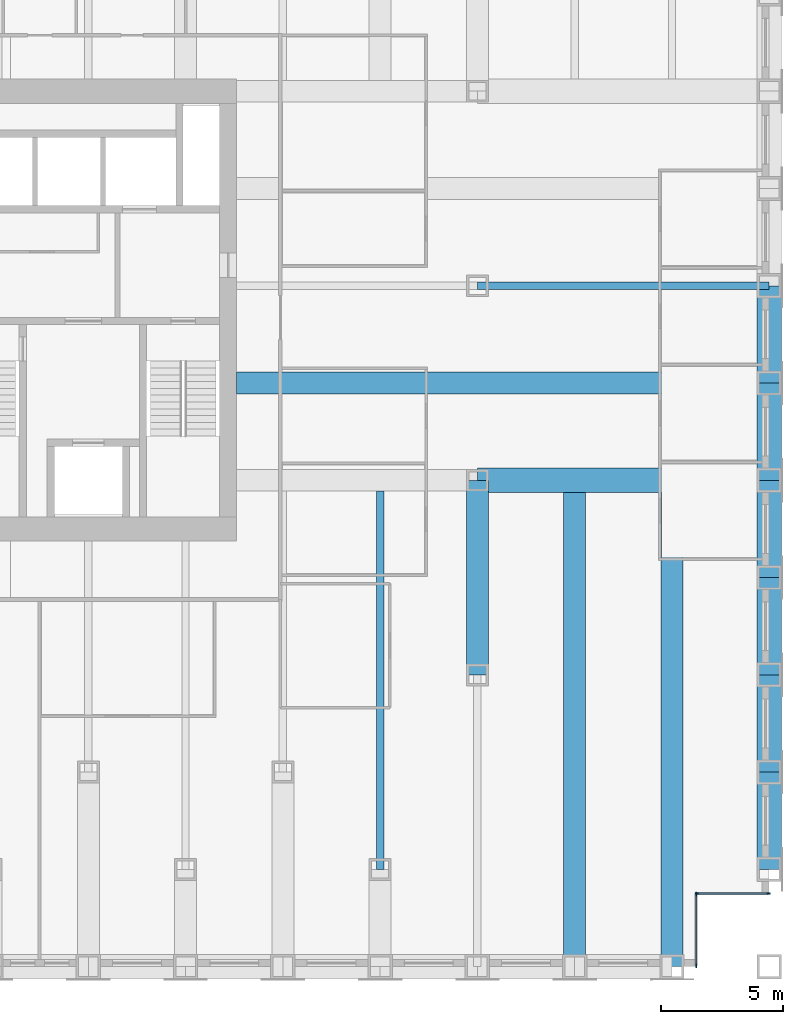
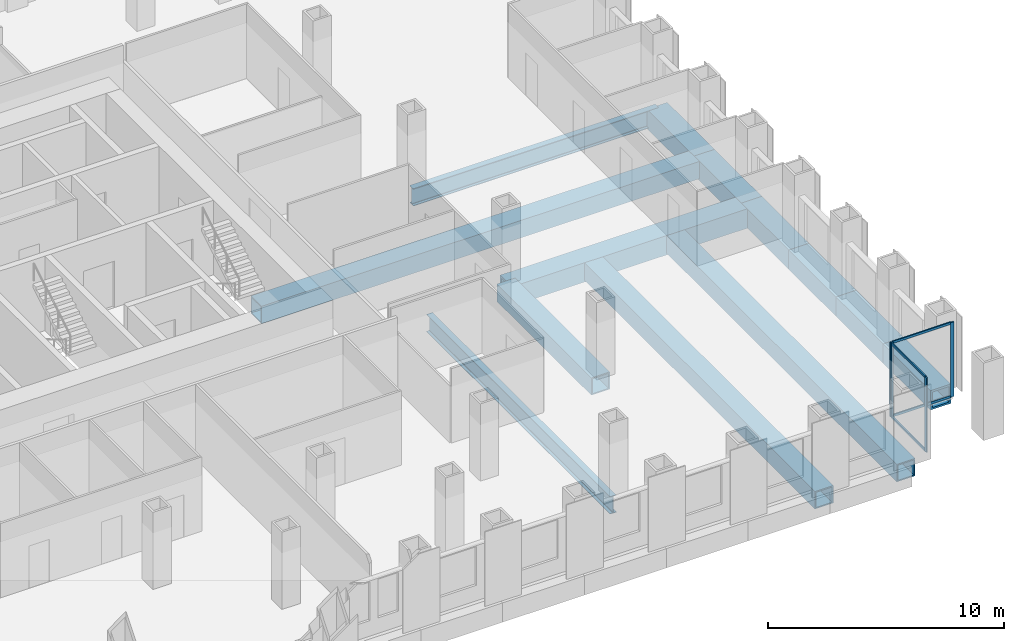
# One storey, part 4 of 16: 13 beams, 8 members, 2 elements without a shape of their own.
"""IFC4 building model written with IfcOpenShell, lengths in metres."""

from ifc_helpers import new_model, si_unit, direction, frame, origin, origin_2d, place, context, subcontext, project, spatial, rectangle, hollow_rectangle, i_section, extrude, material, material_profile, profile_set, type_object, element, aggregate, save


model = new_model("IFC4")

# Units and contexts
model_context = context("Model", 3, precision=1e-05, world=origin(), true_north=direction((0.0, 1.0)))
body_context = subcontext(model_context, "Body", "Model", "MODEL_VIEW")
ifc_project = project(units=[si_unit("LENGTHUNIT", "METRE"), si_unit("AREAUNIT", "SQUARE_METRE"), si_unit("VOLUMEUNIT", "CUBIC_METRE"), si_unit("PLANEANGLEUNIT", "RADIAN"), si_unit("MASSUNIT", "GRAM", prefix="KILO")], contexts=[model_context])

# Site, building, storey
site_placement = place(None, origin())
site = spatial("IfcSite", under=ifc_project, at=site_placement, CompositionType="ELEMENT")
building_placement = place(site_placement, origin())
building = spatial("IfcBuilding", under=site, at=building_placement, Name="Rimbunsela Tower", CompositionType="ELEMENT")
storey_placement = place(building_placement, frame((0.0, 0.0, 85.39990234375)))
storey = spatial("IfcBuildingStorey", under=building, at=storey_placement, Name="L20", CompositionType="ELEMENT", Elevation=85.39990234375)

# Beams
ifc_material_1 = material(Name="Steel BJ 55 (fy 410 MPa)", Category="steel")
ifc_material_profile_1 = material_profile(ifc_material_1, hollow_rectangle(XDim=1.0, YDim=1.0, WallThickness=0.10009765625, at=origin_2d()), Name="BOX 1000x1000x100")
ifc_profile_set_1 = profile_set([ifc_material_profile_1], Name="Steel BJ 55 (fy 410 MPa)")
beam_type_1 = type_object("IfcBeamType", Name="Beam BOX 1000x1000x100", PredefinedType="BEAM", material=ifc_profile_set_1)
beam_1_placement = place(storey_placement, frame((46.0, 20.0, -0.64990234375), z_axis=(1.0, 0.0, 0.0), x_axis=(0.0, 1.0, 0.0)))
element("IfcBeam", 1, at=beam_1_placement, inside=storey, type_object=beam_type_1, Name="Beam B3 L20", PredefinedType="BEAM", context=body_context, shape_type="SweptSolid", body=[
    extrude(hollow_rectangle(XDim=1.0, YDim=1.0, WallThickness=0.10009765625, at=origin_2d()), origin(), (0.0, 0.0, 1.0), 12.0),
])
for number, where, z_axis, x_axis, name in (
    (2, (58.0, 4.0, -0.64990234375), (0.0, 1.0, 0.0), (-1.0, 0.0, 0.0), "Beam B3 L20"),
    (3, (58.0, 8.0, -0.64990234375), (0.0, 1.0, 0.0), (-1.0, 0.0, 0.0), "Beam B3 L20"),
    (4, (58.0, 12.0, -0.64990234375), (0.0, 1.0, 0.0), (-1.0, 0.0, 0.0), "Beam B3 L20"),
    (5, (58.0, 16.0, -0.64990234375), (0.0, 1.0, 0.0), (-1.0, 0.0, 0.0), "Beam B3 L20"),
    (6, (58.0, 20.0, -0.64990234375), (0.0, 1.0, 0.0), (-1.0, 0.0, 0.0), "Beam B3 L20"),
    (7, (58.0, 24.0, -0.64990234375), (0.0, 1.0, 0.0), (-1.0, 0.0, 0.0), "Beam B3 L20"),
):
    element("IfcBeam", number, at=place(storey_placement, frame(where, z_axis=z_axis, x_axis=x_axis)), inside=storey, type_object=beam_type_1, Name=name, PredefinedType="BEAM", context=body_context, shape_type="SweptSolid", body=[
        extrude(hollow_rectangle(XDim=1.0, YDim=1.0, WallThickness=0.10009765625, at=origin_2d()), origin(), (0.0, 0.0, 1.0), 4.0),
    ])
ifc_material_2 = material(Name="Steel BJ 55 (fy 410 MPa)", Category="steel")
ifc_material_profile_2 = material_profile(ifc_material_2, hollow_rectangle(XDim=0.89990234375, YDim=0.89990234375, WallThickness=0.06005859375, at=origin_2d()), Name="BOX 900x900x60")
ifc_profile_set_2 = profile_set([ifc_material_profile_2], Name="Steel BJ 55 (fy 410 MPa)")
beam_type_2 = type_object("IfcBeamType", Name="Beam BOX 900x900x60", PredefinedType="BEAM", material=ifc_profile_set_2)
beam_2_placement = place(storey_placement, frame((36.10009765625, 24.0, -0.599853515625), z_axis=(1.0, 0.0, 0.0), x_axis=(0.0, 1.0, 0.0)))
element("IfcBeam", 8, at=beam_2_placement, inside=storey, type_object=beam_type_2, Name="Beam B1 L20", PredefinedType="BEAM", context=body_context, shape_type="SweptSolid", body=[
    extrude(hollow_rectangle(XDim=0.89990234375, YDim=0.89990234375, WallThickness=0.06005859375, at=origin_2d()), origin(), (0.0, 0.0, 1.0), 21.89990234375),
])
beam_3_placement = place(storey_placement, frame((46.0, 12.0, -0.599853515625), z_axis=(0.0, 1.0, 0.0), x_axis=(-1.0, 0.0, 0.0)))
element("IfcBeam", 9, at=beam_3_placement, inside=storey, type_object=beam_type_2, Name="Beam B1 L20", PredefinedType="BEAM", context=body_context, shape_type="SweptSolid", body=[
    extrude(hollow_rectangle(XDim=0.89990234375, YDim=0.89990234375, WallThickness=0.06005859375, at=origin_2d()), origin(), (0.0, 0.0, 1.0), 8.0),
])
for number, where, z_axis, x_axis, name in (
    (10, (50.0, 0.0, -0.599853515625), (0.0, 1.0, 0.0), (-1.0, 0.0, 0.0), "Beam B1 L20"),
    (11, (54.0, 0.0, -0.599853515625), (0.0, 1.0, 0.0), (-1.0, 0.0, 0.0), "Beam B1 L20"),
):
    element("IfcBeam", number, at=place(storey_placement, frame(where, z_axis=z_axis, x_axis=x_axis)), inside=storey, type_object=beam_type_2, Name=name, PredefinedType="BEAM", context=body_context, shape_type="SweptSolid", body=[
        extrude(hollow_rectangle(XDim=0.89990234375, YDim=0.89990234375, WallThickness=0.06005859375, at=origin_2d()), origin(), (0.0, 0.0, 1.0), 19.5),
    ])
ifc_material_3 = material(Name="Steel BJ 55 (fy 410 MPa)", Category="steel")
ifc_material_profile_3 = material_profile(ifc_material_3, i_section(OverallWidth=0.300048828125, OverallDepth=0.89990234375, WebThickness=0.01611328125, FlangeThickness=0.028076171875, FilletRadius=0.028076171875, at=origin_2d()), Name="H 900x300x16x28")
ifc_profile_set_3 = profile_set([ifc_material_profile_3], Name="Steel BJ 55 (fy 410 MPa)")
beam_type_3 = type_object("IfcBeamType", Name="Beam H 900x300x16x28", PredefinedType="BEAM", material=ifc_profile_set_3)
beam_4_placement = place(storey_placement, frame((42.0, 4.0, -0.599853515625), z_axis=(0.0, 1.0, 0.0), x_axis=(-1.0, 0.0, 0.0)))
element("IfcBeam", 12, at=beam_4_placement, inside=storey, type_object=beam_type_3, Name="Beam B2 L20", PredefinedType="BEAM", context=body_context, shape_type="SweptSolid", body=[
    extrude(i_section(OverallWidth=0.300048828125, OverallDepth=0.89990234375, WebThickness=0.01611328125, FlangeThickness=0.028076171875, FilletRadius=0.028076171875, at=origin_2d()), origin(), (0.0, 0.0, 1.0), 15.550048828125),
])
beam_5_placement = place(storey_placement, frame((46.0, 28.0, -0.599853515625), z_axis=(1.0, 0.0, 0.0), x_axis=(0.0, 1.0, 0.0)))
element("IfcBeam", 13, at=beam_5_placement, inside=storey, type_object=beam_type_3, Name="Beam B2 L20", PredefinedType="BEAM", context=body_context, shape_type="SweptSolid", body=[
    extrude(i_section(OverallWidth=0.300048828125, OverallDepth=0.89990234375, WebThickness=0.01611328125, FlangeThickness=0.028076171875, FilletRadius=0.028076171875, at=origin_2d()), origin(), (0.0, 0.0, 1.0), 12.0),
])

# Curtain wall, members
ifc_material_4 = material(Name="Aluminium curtain wall", Category="aluminium")
curtain_wall_type = type_object("IfcCurtainWallType", Name="Corner glazing", PredefinedType="USERDEFINED", material=ifc_material_4)
curtain_wall_1_placement = place(storey_placement, origin())
curtain_wall_1 = element("IfcCurtainWall", 14, at=curtain_wall_1_placement, inside=storey, type_object=curtain_wall_type, Name="Corner glazing L20", ObjectType="CORNER GLAZING", PredefinedType="USERDEFINED")
ifc_material_5 = material(Name="Aluminium mullion", Category="aluminium")
ifc_material_profile_4 = material_profile(ifc_material_5, rectangle(XDim=0.06005859375, YDim=0.159912109375, at=origin_2d()), Name="Mullion 60x160")
ifc_profile_set_4 = profile_set([ifc_material_profile_4], Name="Aluminium mullion")
member_type_1 = type_object("IfcMemberType", Name="Curtain wall mullion 60x160", PredefinedType="MULLION", material=ifc_profile_set_4)
member_1_placement = place(storey_placement, frame((55.0, 0.030029296875, 0.0), z_axis=(0.0, 0.0, 1.0), x_axis=(-1.0, 0.0, 0.0)))
member_1 = element("IfcMember", 15, at=member_1_placement, type_object=member_type_1, Name="CW5 mullion 1", PredefinedType="MULLION", context=body_context, shape_type="SweptSolid", body=[
    extrude(rectangle(XDim=0.06005859375, YDim=0.159912109375, at=origin_2d()), origin(), (0.0, 0.0, 1.0), 3.85009765625),
])
member_2_placement = place(storey_placement, frame((55.0, 2.969970703125, 0.0), z_axis=(0.0, 0.0, 1.0), x_axis=(-1.0, 0.0, 0.0)))
member_2 = element("IfcMember", 16, at=member_2_placement, type_object=member_type_1, Name="CW5 mullion 2", PredefinedType="MULLION", context=body_context, shape_type="SweptSolid", body=[
    extrude(rectangle(XDim=0.06005859375, YDim=0.159912109375, at=origin_2d()), origin(), (0.0, 0.0, 1.0), 3.85009765625),
])

curtain_wall_2_placement = place(storey_placement, origin())
curtain_wall_2 = element("IfcCurtainWall", 17, at=curtain_wall_2_placement, inside=storey, type_object=curtain_wall_type, Name="Corner glazing L20", ObjectType="CORNER GLAZING", PredefinedType="USERDEFINED")
member_3_placement = place(storey_placement, frame((55.030029296875, 3.0, 0.0), z_axis=(0.0, 0.0, 1.0), x_axis=(0.0, 1.0, 0.0)))
member_3 = element("IfcMember", 18, at=member_3_placement, type_object=member_type_1, Name="CW5 mullion 1", PredefinedType="MULLION", context=body_context, shape_type="SweptSolid", body=[
    extrude(rectangle(XDim=0.06005859375, YDim=0.159912109375, at=origin_2d()), origin(), (0.0, 0.0, 1.0), 3.85009765625),
])
member_4_placement = place(storey_placement, frame((57.969970703125, 3.0, 0.0), z_axis=(0.0, 0.0, 1.0), x_axis=(0.0, 1.0, 0.0)))
member_4 = element("IfcMember", 19, at=member_4_placement, type_object=member_type_1, Name="CW5 mullion 2", PredefinedType="MULLION", context=body_context, shape_type="SweptSolid", body=[
    extrude(rectangle(XDim=0.06005859375, YDim=0.159912109375, at=origin_2d()), origin(), (0.0, 0.0, 1.0), 3.85009765625),
])

# Member
ifc_material_6 = material(Name="Aluminium transom", Category="aluminium")
ifc_material_profile_5 = material_profile(ifc_material_6, rectangle(XDim=0.06005859375, YDim=0.1201171875, at=origin_2d()), Name="Transom 60x120")
ifc_profile_set_5 = profile_set([ifc_material_profile_5], Name="Aluminium transom")
member_type_2 = type_object("IfcMemberType", Name="Curtain wall transom 60x120", PredefinedType="USERDEFINED", material=ifc_profile_set_5)
member_5_placement = place(storey_placement, frame((55.0, 0.06005859375, 0.030029296875), z_axis=(0.0, 1.0, 0.0), x_axis=(-1.0, 0.0, 0.0)))
member_5 = element("IfcMember", 20, at=member_5_placement, type_object=member_type_2, Name="CW5 transom 1.1", ObjectType="TRANSOM", PredefinedType="USERDEFINED", context=body_context, shape_type="SweptSolid", body=[
    extrude(rectangle(XDim=0.06005859375, YDim=0.1201171875, at=origin_2d()), origin(), (0.0, 0.0, 1.0), 2.8798828125),
])

member_6_placement = place(storey_placement, frame((55.0, 0.06005859375, 3.820068359375), z_axis=(0.0, 1.0, 0.0), x_axis=(-1.0, 0.0, 0.0)))
member_6 = element("IfcMember", 21, at=member_6_placement, type_object=member_type_2, Name="CW5 transom 1.2", ObjectType="TRANSOM", PredefinedType="USERDEFINED", context=body_context, shape_type="SweptSolid", body=[
    extrude(rectangle(XDim=0.06005859375, YDim=0.1201171875, at=origin_2d()), origin(), (0.0, 0.0, 1.0), 2.8798828125),
])

aggregate(curtain_wall_1, [member_1, member_2, member_5, member_6])

member_7_placement = place(storey_placement, frame((55.06005859375, 3.0, 0.030029296875), z_axis=(1.0, 0.0, 0.0), x_axis=(0.0, 1.0, 0.0)))
member_7 = element("IfcMember", 22, at=member_7_placement, type_object=member_type_2, Name="CW5 transom 1.1", ObjectType="TRANSOM", PredefinedType="USERDEFINED", context=body_context, shape_type="SweptSolid", body=[
    extrude(rectangle(XDim=0.06005859375, YDim=0.1201171875, at=origin_2d()), origin(), (0.0, 0.0, 1.0), 2.8798828125),
])

member_8_placement = place(storey_placement, frame((55.06005859375, 3.0, 3.820068359375), z_axis=(1.0, 0.0, 0.0), x_axis=(0.0, 1.0, 0.0)))
member_8 = element("IfcMember", 23, at=member_8_placement, type_object=member_type_2, Name="CW5 transom 1.2", ObjectType="TRANSOM", PredefinedType="USERDEFINED", context=body_context, shape_type="SweptSolid", body=[
    extrude(rectangle(XDim=0.06005859375, YDim=0.1201171875, at=origin_2d()), origin(), (0.0, 0.0, 1.0), 2.8798828125),
])

aggregate(curtain_wall_2, [member_3, member_4, member_7, member_8])

save(model, "model.ifc")
